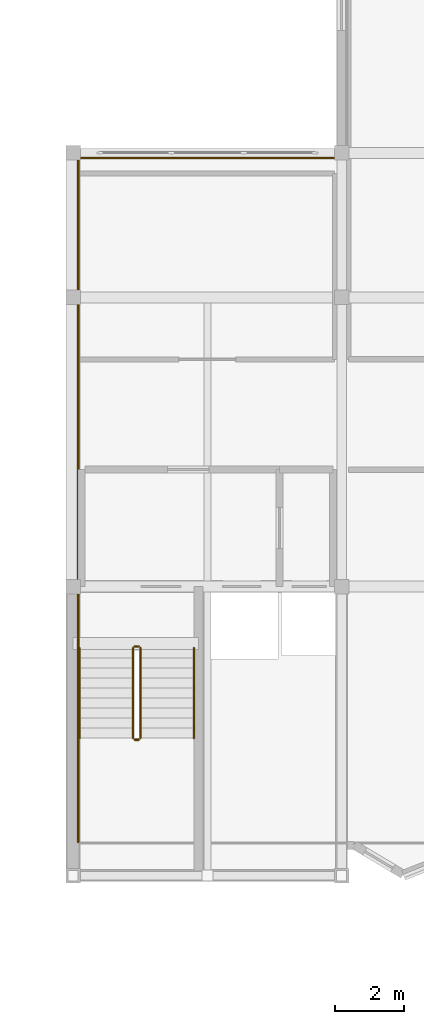
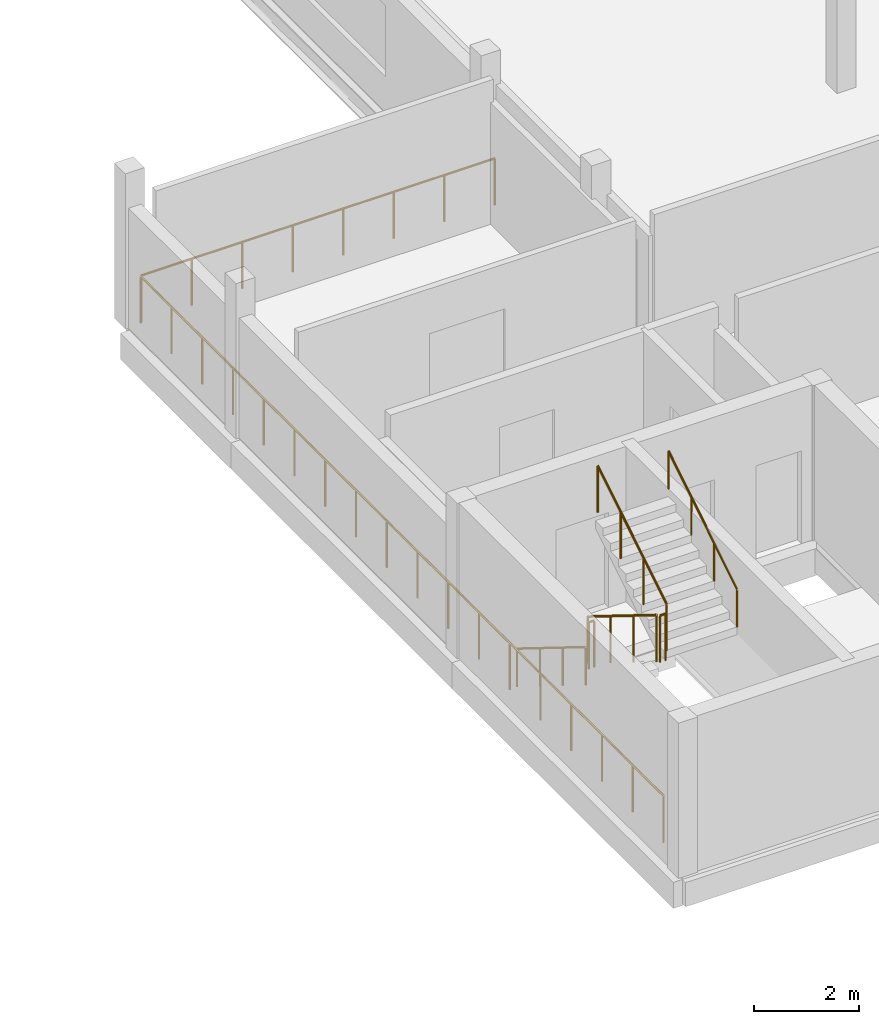
# One storey, part 19 of 22: 8 railings.
"""IFC4 building model written with IfcOpenShell, lengths in metres."""

import ifcopenshell
import ifcopenshell.guid

model = None  # the IFC model being written
_history = None  # IfcOwnerHistory: only IFC2X3 demands one
_inside = {}  # id of a spatial element -> (the spatial element, [elements in it])
_under = {}  # id of a project, library or spatial element -> (it, [spatial elements below it])
_declared = {}  # id of a project -> (the project, [libraries it declares])
_typed = {}  # id of a type object -> (the type object, [elements of that type])
_made_of = {}  # id of a material, layer set ... -> (it, [elements and type objects made of it])


def new_model(schema):
    """Start an empty IFC model of exactly this schema.

    Asked for "IFC4X3", IfcOpenShell would pick the latest addendum, in which some entities
    have other attributes; the version numbers below select the first issue.
    IFC2X3 requires an IfcOwnerHistory on every rooted entity: one is made here for all.
    """
    global model, _history
    if schema == "IFC4X3":
        model = ifcopenshell.file(schema_version=(4, 3, 0, 0))
    else:
        model = ifcopenshell.file(schema=schema)
    _inside.clear()
    _under.clear()
    _declared.clear()
    _typed.clear()
    _made_of.clear()
    _history = None
    if model.schema == "IFC2X3":
        org = make("IfcOrganization", Name="unknown")
        user = make(
            "IfcPersonAndOrganization",
            ThePerson=make("IfcPerson", FamilyName="unknown"),
            TheOrganization=org,
        )
        app = make(
            "IfcApplication",
            ApplicationDeveloper=org,
            Version="unknown",
            ApplicationFullName="unknown",
            ApplicationIdentifier="unknown",
        )
        _history = make(
            "IfcOwnerHistory",
            OwningUser=user,
            OwningApplication=app,
            ChangeAction="ADDED",
            CreationDate=0,
        )
    return model


def make(cls, **values):
    """One entity of the class cls with the attributes given. An attribute that is None is left unset."""
    return model.create_entity(
        cls, **{name: value for name, value in values.items() if value is not None}
    )


def rooted(cls, **values):
    """An entity with a GlobalId (a new one), such as an element, a storey or a relation."""
    return make(cls, GlobalId=ifcopenshell.guid.new(), OwnerHistory=_history, **values)


def si_unit(unit_type, name, prefix=None):
    """IfcSIUnit, for example si_unit("LENGTHUNIT", "METRE", prefix="MILLI")."""
    return make("IfcSIUnit", UnitType=unit_type, Prefix=prefix, Name=name)


def assignment(units):
    """IfcUnitAssignment: the units of a project."""
    return None if units is None else make("IfcUnitAssignment", Units=units)


def point(xyz):
    """IfcCartesianPoint."""
    return None if xyz is None else make("IfcCartesianPoint", Coordinates=xyz)


def direction(xyz):
    """IfcDirection."""
    return None if xyz is None else make("IfcDirection", DirectionRatios=xyz)


def frame(location, z_axis=None, x_axis=None):
    """IfcAxis2Placement3D, a coordinate frame: its origin and axes. An axis left out is left unset."""
    return make(
        "IfcAxis2Placement3D",
        Location=point(location),
        Axis=direction(z_axis),
        RefDirection=direction(x_axis),
    )


def frame_2d(location, x_axis=None):
    """IfcAxis2Placement2D, a coordinate frame in the plane: its origin and x axis."""
    return make(
        "IfcAxis2Placement2D", Location=point(location), RefDirection=direction(x_axis)
    )


def origin():
    """The frame at (0, 0, 0) with its axes left unset."""
    return frame((0.0, 0.0, 0.0))


def origin_2d():
    """The frame at (0, 0) in the plane with its x axis left unset."""
    return frame_2d((0.0, 0.0))


def place(relative_to, where):
    """IfcLocalPlacement: puts the frame where relative to a parent placement (None: the world)."""
    return make(
        "IfcLocalPlacement", PlacementRelTo=relative_to, RelativePlacement=where
    )


def context(
    kind, dimensions, precision=None, world=None, true_north=None, identifier=None
):
    """IfcGeometricRepresentationContext, for example the 3D "Model" context."""
    return make(
        "IfcGeometricRepresentationContext",
        ContextIdentifier=identifier,
        ContextType=kind,
        CoordinateSpaceDimension=dimensions,
        Precision=precision,
        WorldCoordinateSystem=world,
        TrueNorth=true_north,
    )


def subcontext(parent, identifier, kind, view, scale=None):
    """IfcGeometricRepresentationSubContext, for example "Body" below "Model"."""
    return make(
        "IfcGeometricRepresentationSubContext",
        ContextIdentifier=identifier,
        ContextType=kind,
        ParentContext=parent,
        TargetScale=scale,
        TargetView=view,
    )


def project(units=None, contexts=None):
    """IfcProject with its units and contexts."""
    return rooted(
        "IfcProject",
        Name="project",
        RepresentationContexts=contexts,
        UnitsInContext=assignment(units),
    )


def spatial(cls, under=None, at=None, **own):
    """A site, building, storey or space (cls), placed at a placement, below another one or the project."""
    s = rooted(cls, ObjectPlacement=at, **own)
    if under is not None:
        _under.setdefault(under.id(), (under, []))[1].append(s)
    return s


def profile(cls, at=None, kind="AREA", **sizes):
    """A parametric profile (cls). Its sizes go by their IFC names, for example OverallWidth=200.0."""
    return make(cls, ProfileType=kind, Position=at, **sizes)


def circle(**sizes):
    """IfcCircleProfileDef."""
    return profile("IfcCircleProfileDef", **sizes)


def extrude(swept, where, along, depth):
    """IfcExtrudedAreaSolid: the profile swept, set in the frame where, extruded along a direction by depth."""
    return make(
        "IfcExtrudedAreaSolid",
        SweptArea=swept,
        Position=where,
        ExtrudedDirection=direction(along),
        Depth=depth,
    )


def shape(context_of_items, identifier, shape_type, items):
    """IfcShapeRepresentation: the items that make up one representation, for example the "Body"."""
    return make(
        "IfcShapeRepresentation",
        ContextOfItems=context_of_items,
        RepresentationIdentifier=identifier,
        RepresentationType=shape_type,
        Items=items,
    )


def material(Name=None, Category=None):
    """IfcMaterial."""
    return make("IfcMaterial", Name=Name, Category=Category)


def made_of(thing, what):
    """Note that an element or type object is made of a material, layer set ...; save() writes the relation."""
    if what is not None:
        _made_of.setdefault(what.id(), (what, []))[1].append(thing)
    return thing


def type_object(cls, material=None, **own):
    """A type object (cls), such as IfcWallType, which elements share."""
    return made_of(rooted(cls, **own), material)


def element(
    cls,
    number,
    at=None,
    inside=None,
    cuts=None,
    type_object=None,
    material=None,
    context=None,
    identifier="Body",
    shape_type=None,
    held_by="IfcProductDefinitionShape",
    body=None,
    shapes=None,
    **own,
):
    """One element of the class cls, such as IfcWall. Its Tag is "e" and its number.

    at: its placement. inside: the storey or other place that contains it. cuts: it is an
    opening in that element (IfcRelVoidsElement). A single representation is given by context,
    identifier, shape_type and body (its items); several are given by shapes. held_by: the class
    of the entity that holds the representations. save() writes the other relations.
    """
    e = rooted(cls, Tag="e%d" % number, ObjectPlacement=at, **own)
    if body is not None:
        shapes = [shape(context, identifier, shape_type, body)]
    if shapes is not None:
        e.Representation = make(held_by, Representations=shapes)
    if inside is not None:
        _inside.setdefault(inside.id(), (inside, []))[1].append(e)
    if cuts is not None:
        rooted(
            "IfcRelVoidsElement", RelatingBuildingElement=cuts, RelatedOpeningElement=e
        )
    if type_object is not None:
        _typed.setdefault(type_object.id(), (type_object, []))[1].append(e)
    return made_of(e, material)


def aggregate(whole, parts):
    """IfcRelAggregates: a whole, such as a stair, and the parts it consists of."""
    return rooted("IfcRelAggregates", RelatingObject=whole, RelatedObjects=parts)


def save(model, path):
    """Write the relations noted so far, then the file.

    IfcRelAggregates (storeys below a building ...), IfcRelContainedInSpatialStructure (elements
    in a storey), IfcRelDefinesByType, IfcRelAssociatesMaterial and IfcRelDeclares: one each for
    every whole, place, type object, material and project.
    """
    for whole, parts in _under.values():
        aggregate(whole, parts)
    for where, things in _inside.values():
        rooted(
            "IfcRelContainedInSpatialStructure",
            RelatedElements=things,
            RelatingStructure=where,
        )
    for kind, things in _typed.values():
        rooted("IfcRelDefinesByType", RelatedObjects=things, RelatingType=kind)
    for what, things in _made_of.values():
        rooted("IfcRelAssociatesMaterial", RelatedObjects=things, RelatingMaterial=what)
    for by, libraries in _declared.values():
        rooted("IfcRelDeclares", RelatingContext=by, RelatedDefinitions=libraries)
    model.write(path)


model = new_model("IFC4")

# Units and contexts
model_context = context("Model", 3, precision=1e-05, world=origin(), true_north=direction((0.0, 1.0)))
body_context = subcontext(model_context, "Body", "Model", "MODEL_VIEW")
ifc_project = project(units=[si_unit("LENGTHUNIT", "METRE"), si_unit("AREAUNIT", "SQUARE_METRE"), si_unit("VOLUMEUNIT", "CUBIC_METRE"), si_unit("PLANEANGLEUNIT", "RADIAN"), si_unit("MASSUNIT", "GRAM", prefix="KILO")], contexts=[model_context])

# Site, building, storey
site_placement = place(None, origin())
site = spatial("IfcSite", under=ifc_project, at=site_placement, CompositionType="ELEMENT")
building_placement = place(site_placement, origin())
building = spatial("IfcBuilding", under=site, at=building_placement, Name="Vharandega Faculty of Natural Sciences", CompositionType="ELEMENT")
storey_placement = place(building_placement, frame((0.0, 0.0, 28.800048828125)))
storey = spatial("IfcBuildingStorey", under=building, at=storey_placement, Name="L07", CompositionType="ELEMENT", Elevation=28.800048828125)

# Railings
ifc_material_1 = material(Name="Brushed stainless steel handrail", Category="steel")
railing_type_1 = type_object("IfcRailingType", Name="Stair Tubular Handrail 900", PredefinedType="HANDRAIL", material=ifc_material_1)
railing_1_placement = place(storey_placement, frame((114.989990234375, 70.610107421875, 0.179931640625)))
element("IfcRailing", 1, at=railing_1_placement, inside=storey, type_object=railing_type_1, Name="L07 ST1 stair handrail 1", PredefinedType="HANDRAIL", context=body_context, shape_type="SweptSolid", body=[
    extrude(circle(Radius=0.02392578125, at=origin_2d()), frame((0.0, 0.0, 0.8759765625), z_axis=(0.0, -0.849632798774, 0.527374731332), x_axis=(1.0, 0.0, 0.0)), (0.0, 0.0, 1.0), 3.072021484375),
    extrude(circle(Radius=0.02099609375, at=origin_2d()), origin(), (0.0, 0.0, 1.0), 0.851806640625),
    extrude(circle(Radius=0.02099609375, at=origin_2d()), frame((0.0, -0.8701171875, 0.5400390625)), (0.0, 0.0, 1.0), 0.851806640625),
    extrude(circle(Radius=0.02099609375, at=origin_2d()), frame((0.0, -1.739990234375, 1.080078125)), (0.0, 0.0, 1.0), 0.851806640625),
    extrude(circle(Radius=0.02099609375, at=origin_2d()), frame((0.0, -2.610107421875, 1.6201171875)), (0.0, 0.0, 1.0), 0.851806640625),
])
railing_2_placement = place(storey_placement, frame((118.31005859375, 68.0, 1.97998046875)))
element("IfcRailing", 2, at=railing_2_placement, inside=storey, type_object=railing_type_1, Name="L07 ST1 stair handrail 2", PredefinedType="HANDRAIL", context=body_context, shape_type="SweptSolid", body=[
    extrude(circle(Radius=0.02392578125, at=origin_2d()), frame((0.0, 0.0, 0.8759765625), z_axis=(0.0, 0.849668407637, 0.527317358963), x_axis=(-1.0, 0.0, 0.0)), (0.0, 0.0, 1.0), 3.072021484375),
    extrude(circle(Radius=0.02099609375, at=origin_2d()), origin(), (0.0, 0.0, 1.0), 0.851806640625),
    extrude(circle(Radius=0.02099609375, at=origin_2d()), frame((0.0, 0.8701171875, 0.5400390625)), (0.0, 0.0, 1.0), 0.851806640625),
    extrude(circle(Radius=0.02099609375, at=origin_2d()), frame((0.0, 1.739990234375, 1.079833984375)), (0.0, 0.0, 1.0), 0.851806640625),
    extrude(circle(Radius=0.02099609375, at=origin_2d()), frame((0.0, 2.610107421875, 1.619873046875)), (0.0, 0.0, 1.0), 0.851806640625),
])
ifc_material_2 = material(Name="Painted steel stair guardrail", Category="steel")
railing_type_2 = type_object("IfcRailingType", Name="Stairwell Steel Guardrail 1100", PredefinedType="GUARDRAIL", material=ifc_material_2)
railing_3_placement = place(storey_placement, frame((116.5400390625, 70.610107421875, 0.179931640625)))
element("IfcRailing", 3, at=railing_3_placement, inside=storey, type_object=railing_type_2, Name="L07 ST1 stair guard 1", PredefinedType="GUARDRAIL", context=body_context, shape_type="SweptSolid", body=[
    extrude(circle(Radius=0.02392578125, at=origin_2d()), frame((0.0, 0.0, 1.076171875), z_axis=(0.0, -0.849632798774, 0.527374731332), x_axis=(1.0, 0.0, 0.0)), (0.0, 0.0, 1.0), 3.072021484375),
    extrude(circle(Radius=0.02099609375, at=origin_2d()), origin(), (0.0, 0.0, 1.0), 1.052001953125),
    extrude(circle(Radius=0.02099609375, at=origin_2d()), frame((0.0, -0.8701171875, 0.5400390625)), (0.0, 0.0, 1.0), 1.052001953125),
    extrude(circle(Radius=0.02099609375, at=origin_2d()), frame((0.0, -1.739990234375, 1.080078125)), (0.0, 0.0, 1.0), 1.052001953125),
    extrude(circle(Radius=0.02099609375, at=origin_2d()), frame((0.0, -2.610107421875, 1.6201171875)), (0.0, 0.0, 1.0), 1.052001953125),
])
railing_4_placement = place(storey_placement, frame((116.590087890625, 67.949951171875, 1.800048828125)))
element("IfcRailing", 4, at=railing_4_placement, inside=storey, type_object=railing_type_2, Name="L07 ST1 stair guard 2", PredefinedType="GUARDRAIL", context=body_context, shape_type="SweptSolid", body=[
    extrude(circle(Radius=0.02392578125, at=origin_2d()), frame((0.0, 0.0, 1.076171875), z_axis=(1.0, 0.0, 0.0), x_axis=(0.0, 1.0, 0.0)), (0.0, 0.0, 1.0), 0.119873046875),
    extrude(circle(Radius=0.02099609375, at=origin_2d()), origin(), (0.0, 0.0, 1.0), 1.052001953125),
    extrude(circle(Radius=0.02099609375, at=origin_2d()), frame((0.119873046875, 0.0, 0.0)), (0.0, 0.0, 1.0), 1.052001953125),
])
railing_5_placement = place(storey_placement, frame((116.760009765625, 68.0, 1.97998046875)))
element("IfcRailing", 5, at=railing_5_placement, inside=storey, type_object=railing_type_2, Name="L07 ST1 stair guard 3", PredefinedType="GUARDRAIL", context=body_context, shape_type="SweptSolid", body=[
    extrude(circle(Radius=0.02392578125, at=origin_2d()), frame((0.0, 0.0, 1.076171875), z_axis=(0.0, 0.849668407637, 0.527317358963), x_axis=(-1.0, 0.0, 0.0)), (0.0, 0.0, 1.0), 3.072021484375),
    extrude(circle(Radius=0.02099609375, at=origin_2d()), origin(), (0.0, 0.0, 1.0), 1.052001953125),
    extrude(circle(Radius=0.02099609375, at=origin_2d()), frame((0.0, 0.8701171875, 0.5400390625)), (0.0, 0.0, 1.0), 1.052001953125),
    extrude(circle(Radius=0.02099609375, at=origin_2d()), frame((0.0, 1.739990234375, 1.079833984375)), (0.0, 0.0, 1.0), 1.052001953125),
    extrude(circle(Radius=0.02099609375, at=origin_2d()), frame((0.0, 2.610107421875, 1.619873046875)), (0.0, 0.0, 1.0), 1.052001953125),
])
railing_6_placement = place(storey_placement, frame((116.590087890625, 70.659912109375, 0.0)))
element("IfcRailing", 6, at=railing_6_placement, inside=storey, type_object=railing_type_2, Name="L07 ST1 stair guard 4", PredefinedType="GUARDRAIL", context=body_context, shape_type="SweptSolid", body=[
    extrude(circle(Radius=0.02392578125, at=origin_2d()), frame((0.0, 0.0, 1.076171875), z_axis=(1.0, 0.0, 0.0), x_axis=(0.0, 1.0, 0.0)), (0.0, 0.0, 1.0), 0.119873046875),
    extrude(circle(Radius=0.02099609375, at=origin_2d()), origin(), (0.0, 0.0, 1.0), 1.052001953125),
    extrude(circle(Radius=0.02099609375, at=origin_2d()), frame((0.119873046875, 0.0, 0.0)), (0.0, 0.0, 1.0), 1.052001953125),
])
ifc_material_3 = material(Name="Galvanised painted steel balustrade", Category="steel")
railing_type_3 = type_object("IfcRailingType", Name="Terrace Steel Guardrail 1100", PredefinedType="GUARDRAIL", material=ifc_material_3)
railing_7_placement = place(storey_placement, frame((122.72509765625, 84.85009765625, 0.0)))
element("IfcRailing", 7, at=railing_7_placement, inside=storey, type_object=railing_type_3, Name="Perimeter Sill Guard L07 #5", PredefinedType="GUARDRAIL", context=body_context, shape_type="SweptSolid", body=[
    extrude(circle(Radius=0.02392578125, at=origin_2d()), frame((0.0, 0.0, 1.076171875), z_axis=(-1.0, 0.0, 0.0), x_axis=(0.0, -1.0, 0.0)), (0.0, 0.0, 1.0), 7.75),
    extrude(circle(Radius=0.02099609375, at=origin_2d()), origin(), (0.0, 0.0, 1.0), 1.052001953125),
    extrude(circle(Radius=0.02099609375, at=origin_2d()), frame((-1.107177734375, 0.0, 0.0)), (0.0, 0.0, 1.0), 1.052001953125),
    extrude(circle(Radius=0.02099609375, at=origin_2d()), frame((-2.21435546875, 0.0, 0.0)), (0.0, 0.0, 1.0), 1.052001953125),
    extrude(circle(Radius=0.02099609375, at=origin_2d()), frame((-3.321533203125, 0.0, 0.0)), (0.0, 0.0, 1.0), 1.052001953125),
    extrude(circle(Radius=0.02099609375, at=origin_2d()), frame((-4.428466796875, 0.0, 0.0)), (0.0, 0.0, 1.0), 1.052001953125),
    extrude(circle(Radius=0.02099609375, at=origin_2d()), frame((-5.53564453125, 0.0, 0.0)), (0.0, 0.0, 1.0), 1.052001953125),
    extrude(circle(Radius=0.02099609375, at=origin_2d()), frame((-6.642822265625, 0.0, 0.0)), (0.0, 0.0, 1.0), 1.052001953125),
    extrude(circle(Radius=0.02099609375, at=origin_2d()), frame((-7.75, 0.0, 0.0)), (0.0, 0.0, 1.0), 1.052001953125),
])
railing_8_placement = place(storey_placement, frame((114.949951171875, 84.824951171875, 0.0)))
element("IfcRailing", 8, at=railing_8_placement, inside=storey, type_object=railing_type_3, Name="Perimeter Sill Guard L07 #6", PredefinedType="GUARDRAIL", context=body_context, shape_type="SweptSolid", body=[
    extrude(circle(Radius=0.02392578125, at=origin_2d()), frame((0.0, 0.0, 1.076171875), z_axis=(0.0, -1.0, 0.0), x_axis=(1.0, 0.0, 0.0)), (0.0, 0.0, 1.0), 19.849853515625),
    extrude(circle(Radius=0.02099609375, at=origin_2d()), origin(), (0.0, 0.0, 1.0), 1.052001953125),
    extrude(circle(Radius=0.02099609375, at=origin_2d()), frame((0.0, -1.167724609375, 0.0)), (0.0, 0.0, 1.0), 1.052001953125),
    extrude(circle(Radius=0.02099609375, at=origin_2d()), frame((0.0, -2.335205078125, 0.0)), (0.0, 0.0, 1.0), 1.052001953125),
    extrude(circle(Radius=0.02099609375, at=origin_2d()), frame((0.0, -3.5029296875, 0.0)), (0.0, 0.0, 1.0), 1.052001953125),
    extrude(circle(Radius=0.02099609375, at=origin_2d()), frame((0.0, -4.670654296875, 0.0)), (0.0, 0.0, 1.0), 1.052001953125),
    extrude(circle(Radius=0.02099609375, at=origin_2d()), frame((0.0, -5.838134765625, 0.0)), (0.0, 0.0, 1.0), 1.052001953125),
    extrude(circle(Radius=0.02099609375, at=origin_2d()), frame((0.0, -7.005859375, 0.0)), (0.0, 0.0, 1.0), 1.052001953125),
    extrude(circle(Radius=0.02099609375, at=origin_2d()), frame((0.0, -8.173583984375, 0.0)), (0.0, 0.0, 1.0), 1.052001953125),
    extrude(circle(Radius=0.02099609375, at=origin_2d()), frame((0.0, -9.341064453125, 0.0)), (0.0, 0.0, 1.0), 1.052001953125),
    extrude(circle(Radius=0.02099609375, at=origin_2d()), frame((0.0, -10.5087890625, 0.0)), (0.0, 0.0, 1.0), 1.052001953125),
    extrude(circle(Radius=0.02099609375, at=origin_2d()), frame((0.0, -11.67626953125, 0.0)), (0.0, 0.0, 1.0), 1.052001953125),
    extrude(circle(Radius=0.02099609375, at=origin_2d()), frame((0.0, -12.843994140625, 0.0)), (0.0, 0.0, 1.0), 1.052001953125),
    extrude(circle(Radius=0.02099609375, at=origin_2d()), frame((0.0, -14.01171875, 0.0)), (0.0, 0.0, 1.0), 1.052001953125),
    extrude(circle(Radius=0.02099609375, at=origin_2d()), frame((0.0, -15.17919921875, 0.0)), (0.0, 0.0, 1.0), 1.052001953125),
    extrude(circle(Radius=0.02099609375, at=origin_2d()), frame((0.0, -16.346923828125, 0.0)), (0.0, 0.0, 1.0), 1.052001953125),
    extrude(circle(Radius=0.02099609375, at=origin_2d()), frame((0.0, -17.5146484375, 0.0)), (0.0, 0.0, 1.0), 1.052001953125),
    extrude(circle(Radius=0.02099609375, at=origin_2d()), frame((0.0, -18.68212890625, 0.0)), (0.0, 0.0, 1.0), 1.052001953125),
    extrude(circle(Radius=0.02099609375, at=origin_2d()), frame((0.0, -19.849853515625, 0.0)), (0.0, 0.0, 1.0), 1.052001953125),
])

save(model, "model.ifc")
